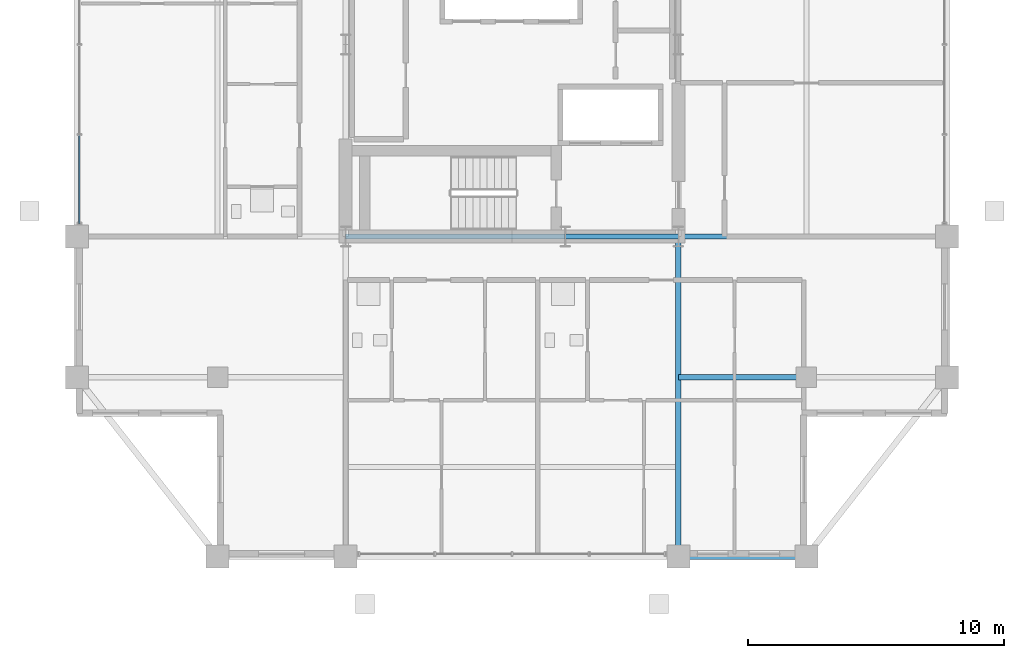
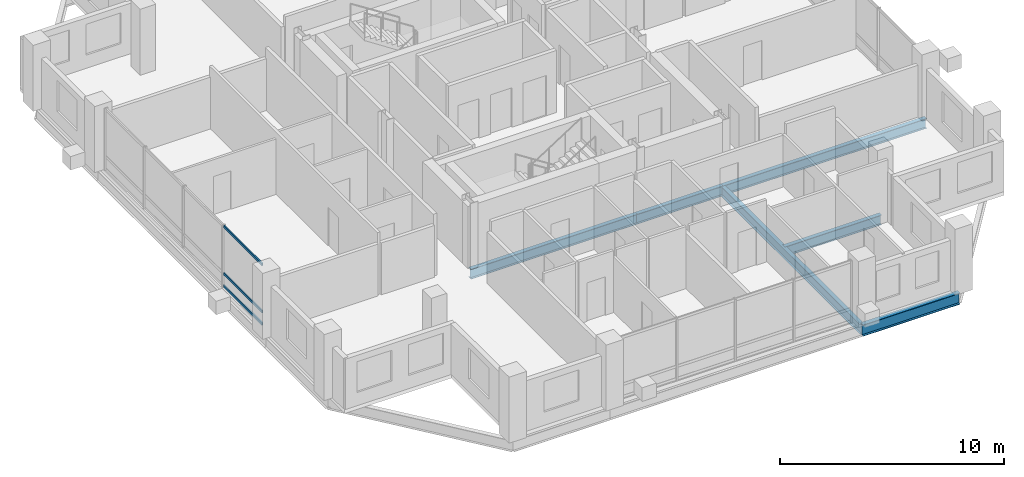
# One storey, part 5 of 21: 6 beams, 3 members, 1 element without a shape of its own.
"""IFC4 building model written with IfcOpenShell, lengths in metres."""

from ifc_helpers import new_model, si_unit, direction, frame, origin, origin_2d, place, context, subcontext, project, spatial, hollow_rectangle, i_section, extrude, material, layer, layer_set, material_profile, profile_set, type_object, element, aggregate, save


model = new_model("IFC4")

# Units and contexts
model_context = context("Model", 3, precision=1e-05, world=origin(), true_north=direction((0.0, 1.0)))
body_context = subcontext(model_context, "Body", "Model", "MODEL_VIEW")
ifc_project = project(units=[si_unit("LENGTHUNIT", "METRE"), si_unit("AREAUNIT", "SQUARE_METRE"), si_unit("VOLUMEUNIT", "CUBIC_METRE"), si_unit("PLANEANGLEUNIT", "RADIAN"), si_unit("MASSUNIT", "GRAM", prefix="KILO")], contexts=[model_context])

# Site, building, storey
site_placement = place(None, origin())
site = spatial("IfcSite", under=ifc_project, at=site_placement, CompositionType="ELEMENT")
building_placement = place(site_placement, origin())
building = spatial("IfcBuilding", under=site, at=building_placement, Name="Barlavira Tower and Art Museum", CompositionType="ELEMENT")
storey_placement = place(building_placement, frame((0.0, 0.0, 297.89990234375)))
storey = spatial("IfcBuildingStorey", under=building, at=storey_placement, Name="L78", CompositionType="ELEMENT", Elevation=297.89990234375)

# Curtain wall, members
ifc_material_1 = material(Name="Low-iron coastal laminated glass", Category="glass")
ifc_layer = layer(ifc_material_1, 0.2099609375, Name="Low-iron coastal laminated glass")
ifc_layer_set = layer_set([ifc_layer], Name="Low-iron coastal laminated glass")
curtain_wall_type = type_object("IfcCurtainWallType", Name="Pale-Metal Unitised Curtain Wall Zone 4", PredefinedType="NOTDEFINED", material=ifc_layer_set)
curtain_wall_placement = place(storey_placement, origin())
curtain_wall = element("IfcCurtainWall", 1, at=curtain_wall_placement, inside=storey, type_object=curtain_wall_type, Name="L78 Curtain Wall CW4-L78-W-B3", PredefinedType="NOTDEFINED")
ifc_material_2 = material(Name="Pale anodised aluminium", Category="aluminium")
ifc_material_profile_1 = material_profile(ifc_material_2, hollow_rectangle(XDim=0.06494140625, YDim=0.139892578125, WallThickness=0.00390625, at=origin_2d()), Name="ALU-TRAN 65x140x4")
ifc_profile_set_1 = profile_set([ifc_material_profile_1], Name="Pale anodised aluminium")
member_type = type_object("IfcMemberType", Name="Curtain Wall Pale-Metal Transom 65x140", PredefinedType="USERDEFINED", material=ifc_profile_set_1)
member_1_placement = place(storey_placement, frame((-16.89990234375, -3.56005859375, 0.070068359375), z_axis=(0.0, -1.0, 0.0), x_axis=(1.0, 0.0, 0.0)))
member_1 = element("IfcMember", 2, at=member_1_placement, type_object=member_type, Name="CW4-L78-W-B3 Transom 3.1", ObjectType="TRANSOM", PredefinedType="USERDEFINED", context=body_context, shape_type="SweptSolid", body=[
    extrude(hollow_rectangle(XDim=0.06494140625, YDim=0.139892578125, WallThickness=0.00390625, at=origin_2d()), origin(), (0.0, 0.0, 1.0), 3.425048828125),
])
member_2_placement = place(storey_placement, frame((-16.89990234375, -3.56005859375, 0.744140625), z_axis=(0.0, -1.0, 0.0), x_axis=(1.0, 0.0, 0.0)))
member_2 = element("IfcMember", 3, at=member_2_placement, type_object=member_type, Name="CW4-L78-W-B3 Transom 3.2", ObjectType="TRANSOM", PredefinedType="USERDEFINED", context=body_context, shape_type="SweptSolid", body=[
    extrude(hollow_rectangle(XDim=0.06494140625, YDim=0.139892578125, WallThickness=0.00390625, at=origin_2d()), origin(), (0.0, 0.0, 1.0), 3.425048828125),
])
member_3_placement = place(storey_placement, frame((-16.89990234375, -3.56005859375, 3.31005859375), z_axis=(0.0, -1.0, 0.0), x_axis=(1.0, 0.0, 0.0)))
member_3 = element("IfcMember", 4, at=member_3_placement, type_object=member_type, Name="CW4-L78-W-B3 Transom 3.3", ObjectType="TRANSOM", PredefinedType="USERDEFINED", context=body_context, shape_type="SweptSolid", body=[
    extrude(hollow_rectangle(XDim=0.06494140625, YDim=0.139892578125, WallThickness=0.00390625, at=origin_2d()), origin(), (0.0, 0.0, 1.0), 3.425048828125),
])
aggregate(curtain_wall, [member_1, member_2, member_3])

# Beams
ifc_material_3 = material(Name="Steel S355", Category="steel")
ifc_material_profile_2 = material_profile(ifc_material_3, i_section(OverallWidth=0.22998046875, OverallDepth=0.616943359375, WebThickness=0.01318359375, FlangeThickness=0.022216796875, at=origin_2d()), Name="W610x140.0")
ifc_profile_set_2 = profile_set([ifc_material_profile_2], Name="Steel S355")
beam_type_1 = type_object("IfcBeamType", Name="Upper Shaft Spandrel Edge Beam W610x140 Steel S355", PredefinedType="SPANDREL", material=ifc_profile_set_2)
beam_1_placement = place(storey_placement, frame((6.5, -20.0, -0.5283203125), z_axis=(1.0, 0.0, 0.0), x_axis=(0.0, 1.0, 0.0)))
element("IfcBeam", 5, at=beam_1_placement, inside=storey, type_object=beam_type_1, Name="L78 Spandrel 3", PredefinedType="SPANDREL", context=body_context, shape_type="SweptSolid", body=[
    extrude(i_section(OverallWidth=0.22998046875, OverallDepth=0.616943359375, WebThickness=0.01318359375, FlangeThickness=0.022216796875, at=origin_2d()), origin(), (0.0, 0.0, 1.0), 5.0),
])
ifc_material_profile_3 = material_profile(ifc_material_3, i_section(OverallWidth=0.2109375, OverallDepth=0.5390625, WebThickness=0.01171875, FlangeThickness=0.018798828125, at=origin_2d()), Name="W530x109.0")
ifc_profile_set_3 = profile_set([ifc_material_profile_3], Name="Steel S355")
beam_type_2 = type_object("IfcBeamType", Name="Zone 3-4 Primary Floor Girder W530x109 Steel S355", PredefinedType="BEAM", material=ifc_profile_set_3)
beam_2_placement = place(storey_placement, frame((-6.5, -7.5, -0.489501953125), z_axis=(1.0, 0.0, 0.0), x_axis=(0.0, 1.0, 0.0)))
element("IfcBeam", 6, at=beam_2_placement, inside=storey, type_object=beam_type_2, Name="L78 Girder C-S1", PredefinedType="BEAM", context=body_context, shape_type="SweptSolid", body=[
    extrude(i_section(OverallWidth=0.2109375, OverallDepth=0.5390625, WebThickness=0.01171875, FlangeThickness=0.018798828125, at=origin_2d()), origin(), (0.0, 0.0, 1.0), 8.580078125),
])
beam_3_placement = place(storey_placement, frame((2.080078125, -7.5, -0.489501953125), z_axis=(1.0, 0.0, 0.0), x_axis=(0.0, 1.0, 0.0)))
element("IfcBeam", 7, at=beam_3_placement, inside=storey, type_object=beam_type_2, Name="L78 Girder C-S2", PredefinedType="BEAM", context=body_context, shape_type="SweptSolid", body=[
    extrude(i_section(OverallWidth=0.2109375, OverallDepth=0.5390625, WebThickness=0.01171875, FlangeThickness=0.018798828125, at=origin_2d()), origin(), (0.0, 0.0, 1.0), 4.419921875),
])
beam_4_placement = place(storey_placement, frame((6.5, -20.0, -0.489501953125), z_axis=(0.0, 1.0, 0.0), x_axis=(-1.0, 0.0, 0.0)))
element("IfcBeam", 8, at=beam_4_placement, inside=storey, type_object=beam_type_2, Name="L78 Girder R-S2", PredefinedType="BEAM", context=body_context, shape_type="SweptSolid", body=[
    extrude(i_section(OverallWidth=0.2109375, OverallDepth=0.5390625, WebThickness=0.01171875, FlangeThickness=0.018798828125, at=origin_2d()), origin(), (0.0, 0.0, 1.0), 12.5),
])
beam_5_placement = place(storey_placement, frame((6.5, -7.5, -0.489501953125), z_axis=(1.0, 0.0, 0.0), x_axis=(0.0, 1.0, 0.0)))
element("IfcBeam", 9, at=beam_5_placement, inside=storey, type_object=beam_type_2, Name="L78 Girder R-E1", PredefinedType="BEAM", context=body_context, shape_type="SweptSolid", body=[
    extrude(i_section(OverallWidth=0.2109375, OverallDepth=0.5390625, WebThickness=0.01171875, FlangeThickness=0.018798828125, at=origin_2d()), origin(), (0.0, 0.0, 1.0), 10.5),
])
beam_6_placement = place(storey_placement, frame((6.5, -13.0, -0.489501953125), z_axis=(1.0, 0.0, 0.0), x_axis=(0.0, 1.0, 0.0)))
element("IfcBeam", 10, at=beam_6_placement, inside=storey, type_object=beam_type_2, Name="L78 Girder I-S3", PredefinedType="BEAM", context=body_context, shape_type="SweptSolid", body=[
    extrude(i_section(OverallWidth=0.2109375, OverallDepth=0.5390625, WebThickness=0.01171875, FlangeThickness=0.018798828125, at=origin_2d()), origin(), (0.0, 0.0, 1.0), 5.0),
])

save(model, "model.ifc")
